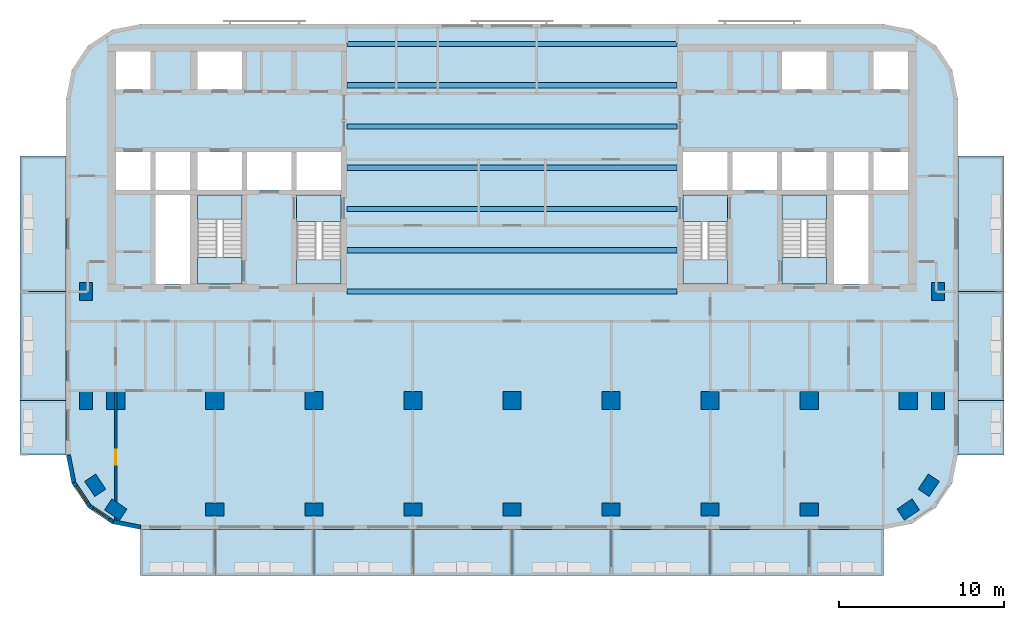
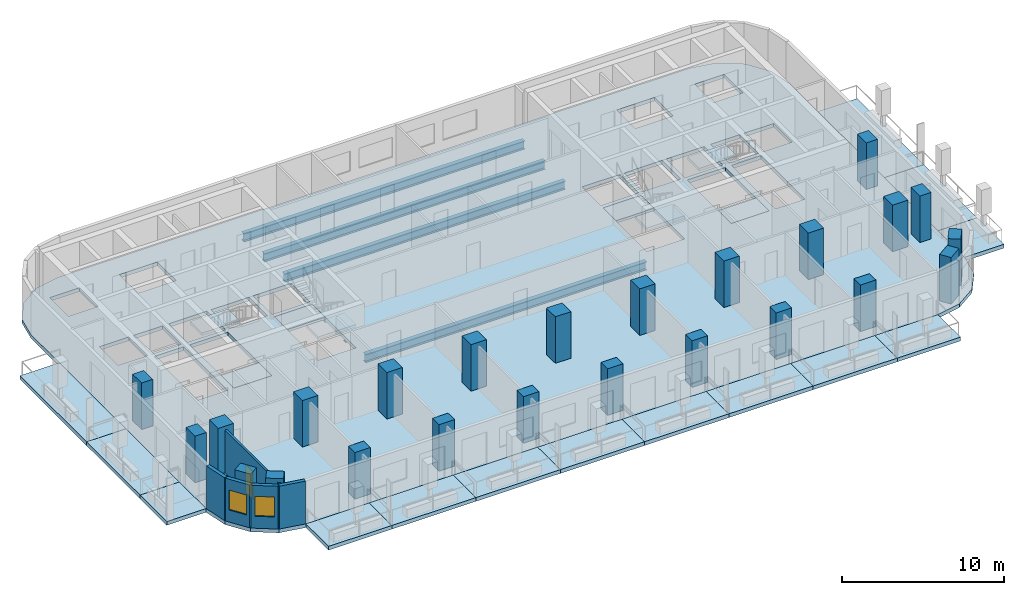
# One storey, part 1 of 11: 24 columns, 23 slabs, 7 beams, 5 walls, 2 windows, 1 door, 3 openings, 4 elements without a shape of their own.
"""IFC4 building model written with IfcOpenShell, lengths in metres."""

from ifc_helpers import new_model, si_unit, direction, frame, frame_2d, origin, origin_2d, place, context, subcontext, project, spatial, polyline, rectangle, i_section, outline, extrude, material, layer, layer_set, material_profile, profile_set, type_object, element, fill, aggregate, save


model = new_model("IFC4")

# Units and contexts
model_context = context("Model", 3, precision=1e-05, world=origin(), true_north=direction((0.0, 1.0)))
body_context = subcontext(model_context, "Body", "Model", "MODEL_VIEW")
ifc_project = project(units=[si_unit("LENGTHUNIT", "METRE"), si_unit("AREAUNIT", "SQUARE_METRE"), si_unit("VOLUMEUNIT", "CUBIC_METRE"), si_unit("PLANEANGLEUNIT", "RADIAN"), si_unit("MASSUNIT", "GRAM", prefix="KILO")], contexts=[model_context])

# Site, building, storey
site_placement = place(None, origin())
site = spatial("IfcSite", under=ifc_project, at=site_placement, CompositionType="ELEMENT")
building_placement = place(site_placement, origin())
building = spatial("IfcBuilding", under=site, at=building_placement, Name="Torana Hotel and Residences", CompositionType="ELEMENT")
storey_placement = place(building_placement, frame((0.0, 0.0, 222.10009765625)))
storey = spatial("IfcBuildingStorey", under=building, at=storey_placement, Name="L58", CompositionType="ELEMENT", Elevation=222.10009765625)

# Columns
ifc_material_1 = material(Name="Concrete C60/75", Category="concrete")
ifc_material_profile_1 = material_profile(ifc_material_1, rectangle(XDim=1.10009765625, YDim=1.10009765625, at=origin_2d()), Name="RC 1100x1100")
ifc_profile_set_1 = profile_set([ifc_material_profile_1], Name="Concrete C60/75")
column_type_1 = type_object("IfcColumnType", Name="COLUMN RC 1100x1100 C60/75", PredefinedType="COLUMN", material=ifc_profile_set_1)
for number, where, z_axis, x_axis, name in (
    (1, (-24.0, -21.60009765625, 0.0), (0.0, 0.0, 1.0), (1.0, 0.0, 0.0), "Column L58"),
    (2, (-18.0, -21.60009765625, 0.0), (0.0, 0.0, 1.0), (1.0, 0.0, 0.0), "Column L58"),
    (3, (-12.0, -21.60009765625, 0.0), (0.0, 0.0, 1.0), (1.0, 0.0, 0.0), "Column L58"),
    (4, (-6.0, -21.60009765625, 0.0), (0.0, 0.0, 1.0), (1.0, 0.0, 0.0), "Column L58"),
    (5, (0.0, -21.60009765625, 0.0), (0.0, 0.0, 1.0), (1.0, 0.0, 0.0), "Column L58"),
    (6, (6.0, -21.60009765625, 0.0), (0.0, 0.0, 1.0), (1.0, 0.0, 0.0), "Column L58"),
    (7, (12.0, -21.60009765625, 0.0), (0.0, 0.0, 1.0), (1.0, 0.0, 0.0), "Column L58"),
    (8, (18.0, -21.60009765625, 0.0), (0.0, 0.0, 1.0), (1.0, 0.0, 0.0), "Column L58"),
    (9, (24.0, -21.60009765625, 0.0), (0.0, 0.0, 1.0), (1.0, 0.0, 0.0), "Column L58"),
):
    element("IfcColumn", number, at=place(storey_placement, frame(where, z_axis=z_axis, x_axis=x_axis)), inside=storey, type_object=column_type_1, Name=name, PredefinedType="COLUMN", context=body_context, shape_type="SweptSolid", body=[
        extrude(rectangle(XDim=1.10009765625, YDim=1.10009765625, at=origin_2d()), origin(), (0.0, 0.0, 1.0), 3.5),
    ])
ifc_material_2 = material(Name="Concrete C60/75", Category="concrete")
ifc_material_profile_2 = material_profile(ifc_material_2, rectangle(XDim=1.10009765625, YDim=0.800048828125, at=origin_2d()), Name="RC 1100x800")
ifc_profile_set_2 = profile_set([ifc_material_profile_2], Name="Concrete C60/75")
column_type_2 = type_object("IfcColumnType", Name="COLUMN RC 1100x800 C60/75", PredefinedType="COLUMN", material=ifc_profile_set_2)
for number, where, z_axis, x_axis, name in (
    (10, (-25.800048828125, -21.60009765625, 0.0), (0.0, 0.0, 1.0), (0.0, 1.0, 0.0), "Column L58"),
    (11, (-25.800048828125, -15.0, 0.0), (0.0, 0.0, 1.0), (0.0, 1.0, 0.0), "Column L58"),
    (12, (-25.243896484375, -26.73291015625, 0.0), (0.0, 0.0, 1.0), (-0.555584744817, 0.831459915646, 0.0), "Column L58"),
    (13, (-24.0, -28.199951171875, 0.0), (0.0, 0.0, 1.0), (-0.831459915646, 0.555584744817, 0.0), "Column L58"),
    (14, (-18.0, -28.199951171875, 0.0), (0.0, 0.0, 1.0), (1.0, 0.0, 0.0), "Column L58"),
    (15, (-12.0, -28.199951171875, 0.0), (0.0, 0.0, 1.0), (1.0, 0.0, 0.0), "Column L58"),
    (16, (-6.0, -28.199951171875, 0.0), (0.0, 0.0, 1.0), (1.0, 0.0, 0.0), "Column L58"),
    (17, (0.0, -28.199951171875, 0.0), (0.0, 0.0, 1.0), (1.0, 0.0, 0.0), "Column L58"),
    (18, (6.0, -28.199951171875, 0.0), (0.0, 0.0, 1.0), (1.0, 0.0, 0.0), "Column L58"),
    (19, (12.0, -28.199951171875, 0.0), (0.0, 0.0, 1.0), (1.0, 0.0, 0.0), "Column L58"),
    (20, (18.0, -28.199951171875, 0.0), (0.0, 0.0, 1.0), (1.0, 0.0, 0.0), "Column L58"),
    (21, (24.0, -28.199951171875, 0.0), (0.0, 0.0, 1.0), (0.831459915646, 0.555584744817, 0.0), "Column L58"),
    (22, (25.243896484375, -26.73291015625, 0.0), (0.0, 0.0, 1.0), (0.555584744817, 0.831459915646, 0.0), "Column L58"),
    (23, (25.800048828125, -21.60009765625, 0.0), (0.0, 0.0, 1.0), (0.0, 1.0, 0.0), "Column L58"),
    (24, (25.800048828125, -15.0, 0.0), (0.0, 0.0, 1.0), (0.0, 1.0, 0.0), "Column L58"),
):
    element("IfcColumn", number, at=place(storey_placement, frame(where, z_axis=z_axis, x_axis=x_axis)), inside=storey, type_object=column_type_2, Name=name, PredefinedType="COLUMN", context=body_context, shape_type="SweptSolid", body=[
        extrude(rectangle(XDim=1.10009765625, YDim=0.800048828125, at=origin_2d()), origin(), (0.0, 0.0, 1.0), 3.5),
    ])

# Beams
ifc_material_3 = material(Name="Steel S355", Category="steel")
ifc_material_profile_3 = material_profile(ifc_material_3, i_section(OverallWidth=0.311279296875, OverallDepth=0.6357421875, WebThickness=0.018310546875, FlangeThickness=0.031494140625, FilletRadius=0.0166015625, at=origin_2d()), Name="610x305x238 UB")
ifc_profile_set_3 = profile_set([ifc_material_profile_3], Name="Steel S355")
beam_type = type_object("IfcBeamType", Name="STEEL GIRDER 610x305x238 UB", PredefinedType="BEAM", material=ifc_profile_set_3)
for number, where, z_axis, x_axis, name in (
    (25, (-10.0, -15.0, -0.597900390625), (1.0, 0.0, 0.0), (0.0, 1.0, 0.0), "Floor girder"),
    (26, (-10.0, -12.5, -0.597900390625), (1.0, 0.0, 0.0), (0.0, 1.0, 0.0), "Floor girder"),
    (27, (-10.0, -10.0, -0.597900390625), (1.0, 0.0, 0.0), (0.0, 1.0, 0.0), "Floor girder"),
    (28, (-10.0, -7.5, -0.597900390625), (1.0, 0.0, 0.0), (0.0, 1.0, 0.0), "Floor girder"),
    (29, (-10.0, -5.0, -0.597900390625), (1.0, 0.0, 0.0), (0.0, 1.0, 0.0), "Floor girder"),
    (30, (-10.0, -2.5, -0.597900390625), (1.0, 0.0, 0.0), (0.0, 1.0, 0.0), "Floor girder"),
    (31, (-10.0, 0.0, -0.597900390625), (1.0, 0.0, 0.0), (0.0, 1.0, 0.0), "Floor girder"),
):
    element("IfcBeam", number, at=place(storey_placement, frame(where, z_axis=z_axis, x_axis=x_axis)), inside=storey, type_object=beam_type, Name=name, PredefinedType="BEAM", context=body_context, shape_type="SweptSolid", body=[
        extrude(i_section(OverallWidth=0.311279296875, OverallDepth=0.6357421875, WebThickness=0.018310546875, FlangeThickness=0.031494140625, FilletRadius=0.0166015625, at=origin_2d()), origin(), (0.0, 0.0, 1.0), 20.0),
    ])

# Slabs
ifc_material_4 = material(Name="Concrete C40/50", Category="concrete")
ifc_layer_1 = layer(ifc_material_4, 0.280029296875)
ifc_layer_set_1 = layer_set([ifc_layer_1], Name="BAL1 BALCONY SLAB 280")
slab_type_1 = type_object("IfcSlabType", Name="BAL1 BALCONY SLAB 280", PredefinedType="USERDEFINED", material=ifc_layer_set_1)
slab_1_placement = place(storey_placement, frame((0.0, 0.0, -0.280029296875)))
element("IfcSlab", 32, at=slab_1_placement, inside=storey, type_object=slab_type_1, Name="Balcony 01", ObjectType="BALCONY", PredefinedType="USERDEFINED", context=body_context, shape_type="SweptSolid", body=[
    extrude(outline(polyline([(-22.5, -32.199951171875), (-18.0, -32.199951171875), (-18.0, -29.39990234375), (-22.5, -29.39990234375), (-22.5, -32.199951171875)])), origin(), (0.0, 0.0, 1.0), 0.280029296875),
])
slab_2_placement = place(storey_placement, frame((0.0, 0.0, -0.280029296875)))
element("IfcSlab", 33, at=slab_2_placement, inside=storey, type_object=slab_type_1, Name="Balcony 02", ObjectType="BALCONY", PredefinedType="USERDEFINED", context=body_context, shape_type="SweptSolid", body=[
    extrude(outline(polyline([(-18.0, -32.199951171875), (-12.0, -32.199951171875), (-12.0, -29.39990234375), (-18.0, -29.39990234375), (-18.0, -32.199951171875)])), origin(), (0.0, 0.0, 1.0), 0.280029296875),
])
slab_3_placement = place(storey_placement, frame((0.0, 0.0, -0.280029296875)))
element("IfcSlab", 34, at=slab_3_placement, inside=storey, type_object=slab_type_1, Name="Balcony 03", ObjectType="BALCONY", PredefinedType="USERDEFINED", context=body_context, shape_type="SweptSolid", body=[
    extrude(outline(polyline([(-12.0, -32.199951171875), (-6.0, -32.199951171875), (-6.0, -29.39990234375), (-12.0, -29.39990234375), (-12.0, -32.199951171875)])), origin(), (0.0, 0.0, 1.0), 0.280029296875),
])
slab_4_placement = place(storey_placement, frame((0.0, 0.0, -0.280029296875)))
element("IfcSlab", 35, at=slab_4_placement, inside=storey, type_object=slab_type_1, Name="Balcony 04", ObjectType="BALCONY", PredefinedType="USERDEFINED", context=body_context, shape_type="SweptSolid", body=[
    extrude(outline(polyline([(-6.0, -32.199951171875), (0.0, -32.199951171875), (0.0, -29.39990234375), (-6.0, -29.39990234375), (-6.0, -32.199951171875)])), origin(), (0.0, 0.0, 1.0), 0.280029296875),
])
slab_5_placement = place(storey_placement, frame((0.0, 0.0, -0.280029296875)))
element("IfcSlab", 36, at=slab_5_placement, inside=storey, type_object=slab_type_1, Name="Balcony 05", ObjectType="BALCONY", PredefinedType="USERDEFINED", context=body_context, shape_type="SweptSolid", body=[
    extrude(outline(polyline([(0.0, -32.199951171875), (6.0, -32.199951171875), (6.0, -29.39990234375), (0.0, -29.39990234375), (0.0, -32.199951171875)])), origin(), (0.0, 0.0, 1.0), 0.280029296875),
])
slab_6_placement = place(storey_placement, frame((0.0, 0.0, -0.280029296875)))
element("IfcSlab", 37, at=slab_6_placement, inside=storey, type_object=slab_type_1, Name="Balcony 06", ObjectType="BALCONY", PredefinedType="USERDEFINED", context=body_context, shape_type="SweptSolid", body=[
    extrude(outline(polyline([(6.0, -32.199951171875), (12.0, -32.199951171875), (12.0, -29.39990234375), (6.0, -29.39990234375), (6.0, -32.199951171875)])), origin(), (0.0, 0.0, 1.0), 0.280029296875),
])
slab_7_placement = place(storey_placement, frame((0.0, 0.0, -0.280029296875)))
element("IfcSlab", 38, at=slab_7_placement, inside=storey, type_object=slab_type_1, Name="Balcony 07", ObjectType="BALCONY", PredefinedType="USERDEFINED", context=body_context, shape_type="SweptSolid", body=[
    extrude(outline(polyline([(12.0, -32.199951171875), (18.0, -32.199951171875), (18.0, -29.39990234375), (12.0, -29.39990234375), (12.0, -32.199951171875)])), origin(), (0.0, 0.0, 1.0), 0.280029296875),
])
slab_8_placement = place(storey_placement, frame((0.0, 0.0, -0.280029296875)))
element("IfcSlab", 39, at=slab_8_placement, inside=storey, type_object=slab_type_1, Name="Balcony 08", ObjectType="BALCONY", PredefinedType="USERDEFINED", context=body_context, shape_type="SweptSolid", body=[
    extrude(outline(polyline([(18.0, -32.199951171875), (22.5, -32.199951171875), (22.5, -29.39990234375), (18.0, -29.39990234375), (18.0, -32.199951171875)])), origin(), (0.0, 0.0, 1.0), 0.280029296875),
])
slab_9_placement = place(storey_placement, frame((0.0, 0.0, -0.280029296875)))
element("IfcSlab", 40, at=slab_9_placement, inside=storey, type_object=slab_type_1, Name="Balcony 09", ObjectType="BALCONY", PredefinedType="USERDEFINED", context=body_context, shape_type="SweptSolid", body=[
    extrude(outline(polyline([(-29.800048828125, -24.89990234375), (-27.0, -24.89990234375), (-27.0, -21.60009765625), (-29.800048828125, -21.60009765625), (-29.800048828125, -24.89990234375)])), origin(), (0.0, 0.0, 1.0), 0.280029296875),
])
slab_10_placement = place(storey_placement, frame((0.0, 0.0, -0.280029296875)))
element("IfcSlab", 41, at=slab_10_placement, inside=storey, type_object=slab_type_1, Name="Balcony 10", ObjectType="BALCONY", PredefinedType="USERDEFINED", context=body_context, shape_type="SweptSolid", body=[
    extrude(outline(polyline([(-29.800048828125, -21.60009765625), (-27.0, -21.60009765625), (-27.0, -15.0), (-29.800048828125, -15.0), (-29.800048828125, -21.60009765625)])), origin(), (0.0, 0.0, 1.0), 0.280029296875),
])
slab_11_placement = place(storey_placement, frame((0.0, 0.0, -0.280029296875)))
element("IfcSlab", 42, at=slab_11_placement, inside=storey, type_object=slab_type_1, Name="Balcony 11", ObjectType="BALCONY", PredefinedType="USERDEFINED", context=body_context, shape_type="SweptSolid", body=[
    extrude(outline(polyline([(-29.800048828125, -15.0), (-27.0, -15.0), (-27.0, -6.800048828125), (-29.800048828125, -6.800048828125), (-29.800048828125, -15.0)])), origin(), (0.0, 0.0, 1.0), 0.280029296875),
])
slab_12_placement = place(storey_placement, frame((0.0, 0.0, -0.280029296875)))
element("IfcSlab", 43, at=slab_12_placement, inside=storey, type_object=slab_type_1, Name="Balcony 12", ObjectType="BALCONY", PredefinedType="USERDEFINED", context=body_context, shape_type="SweptSolid", body=[
    extrude(outline(polyline([(27.0, -24.89990234375), (29.800048828125, -24.89990234375), (29.800048828125, -21.60009765625), (27.0, -21.60009765625), (27.0, -24.89990234375)])), origin(), (0.0, 0.0, 1.0), 0.280029296875),
])
slab_13_placement = place(storey_placement, frame((0.0, 0.0, -0.280029296875)))
element("IfcSlab", 44, at=slab_13_placement, inside=storey, type_object=slab_type_1, Name="Balcony 13", ObjectType="BALCONY", PredefinedType="USERDEFINED", context=body_context, shape_type="SweptSolid", body=[
    extrude(outline(polyline([(27.0, -21.60009765625), (29.800048828125, -21.60009765625), (29.800048828125, -15.0), (27.0, -15.0), (27.0, -21.60009765625)])), origin(), (0.0, 0.0, 1.0), 0.280029296875),
])
slab_14_placement = place(storey_placement, frame((0.0, 0.0, -0.280029296875)))
element("IfcSlab", 45, at=slab_14_placement, inside=storey, type_object=slab_type_1, Name="Balcony 14", ObjectType="BALCONY", PredefinedType="USERDEFINED", context=body_context, shape_type="SweptSolid", body=[
    extrude(outline(polyline([(27.0, -15.0), (29.800048828125, -15.0), (29.800048828125, -6.800048828125), (27.0, -6.800048828125), (27.0, -15.0)])), origin(), (0.0, 0.0, 1.0), 0.280029296875),
])
ifc_material_5 = material(Name="Concrete C40/50", Category="concrete")
ifc_layer_2 = layer(ifc_material_5, 0.280029296875)
ifc_layer_set_2 = layer_set([ifc_layer_2], Name="FLOOR SLAB PT 280")
slab_type_2 = type_object("IfcSlabType", Name="FLOOR SLAB PT 280", PredefinedType="FLOOR", material=ifc_layer_set_2)
slab_15_placement = place(storey_placement, frame((0.0, 0.0, -0.280029296875)))
element("IfcSlab", 46, at=slab_15_placement, inside=storey, type_object=slab_type_2, Name="Floor slab", PredefinedType="FLOOR", context=body_context, shape_type="SweptSolid", body=[
    extrude(outline(polyline([(27.0, -3.300048828125), (26.657470703125, -1.577880859375), (25.681884765625, -0.117919921875), (24.22216796875, 0.857421875), (22.5, 1.199951171875), (-22.5, 1.199951171875), (-24.22216796875, 0.857421875), (-25.681884765625, -0.117919921875), (-26.657470703125, -1.577880859375), (-27.0, -3.300048828125), (-27.0, -24.89990234375), (-26.657470703125, -26.6220703125), (-25.681884765625, -28.08203125), (-24.22216796875, -29.0576171875), (-22.5, -29.39990234375), (22.5, -29.39990234375), (24.22216796875, -29.0576171875), (25.681884765625, -28.08203125), (26.657470703125, -26.6220703125), (27.0, -24.89990234375), (27.0, -3.300048828125)]), holes=[polyline([(-13.050048828125, -14.550048828125), (-10.35009765625, -14.550048828125), (-10.35009765625, -9.14990234375), (-13.050048828125, -9.14990234375), (-13.050048828125, -14.550048828125)]), polyline([(-19.050048828125, -14.550048828125), (-16.35009765625, -14.550048828125), (-16.35009765625, -9.14990234375), (-19.050048828125, -9.14990234375), (-19.050048828125, -14.550048828125)]), polyline([(-19.050048828125, -2.75), (-16.35009765625, -2.75), (-16.35009765625, -0.449951171875), (-19.050048828125, -0.449951171875), (-19.050048828125, -2.75)]), polyline([(-21.60009765625, -8.85009765625), (-19.5, -8.85009765625), (-19.5, -6.550048828125), (-21.60009765625, -6.550048828125), (-21.60009765625, -8.85009765625)]), polyline([(-24.0, -2.75), (-21.89990234375, -2.75), (-21.89990234375, -0.449951171875), (-24.0, -0.449951171875), (-24.0, -2.75)]), polyline([(-24.0, -8.85009765625), (-21.89990234375, -8.85009765625), (-21.89990234375, -6.550048828125), (-24.0, -6.550048828125), (-24.0, -8.85009765625)]), polyline([(-13.050048828125, -8.85009765625), (-10.35009765625, -8.85009765625), (-10.35009765625, -6.550048828125), (-13.050048828125, -6.550048828125), (-13.050048828125, -8.85009765625)]), polyline([(-16.050048828125, -8.85009765625), (-13.35009765625, -8.85009765625), (-13.35009765625, -6.550048828125), (-16.050048828125, -6.550048828125), (-16.050048828125, -8.85009765625)]), polyline([(-19.050048828125, -8.85009765625), (-16.35009765625, -8.85009765625), (-16.35009765625, -6.550048828125), (-19.050048828125, -6.550048828125), (-19.050048828125, -8.85009765625)]), polyline([(-21.60009765625, -14.550048828125), (-19.5, -14.550048828125), (-19.5, -9.14990234375), (-21.60009765625, -9.14990234375), (-21.60009765625, -14.550048828125)]), polyline([(10.35009765625, -14.550048828125), (13.050048828125, -14.550048828125), (13.050048828125, -9.14990234375), (10.35009765625, -9.14990234375), (10.35009765625, -14.550048828125)]), polyline([(16.35009765625, -14.550048828125), (19.050048828125, -14.550048828125), (19.050048828125, -9.14990234375), (16.35009765625, -9.14990234375), (16.35009765625, -14.550048828125)]), polyline([(16.35009765625, -2.75), (19.050048828125, -2.75), (19.050048828125, -0.449951171875), (16.35009765625, -0.449951171875), (16.35009765625, -2.75)]), polyline([(19.5, -8.85009765625), (21.60009765625, -8.85009765625), (21.60009765625, -6.550048828125), (19.5, -6.550048828125), (19.5, -8.85009765625)]), polyline([(21.89990234375, -2.75), (24.0, -2.75), (24.0, -0.449951171875), (21.89990234375, -0.449951171875), (21.89990234375, -2.75)]), polyline([(21.89990234375, -8.85009765625), (24.0, -8.85009765625), (24.0, -6.550048828125), (21.89990234375, -6.550048828125), (21.89990234375, -8.85009765625)]), polyline([(10.35009765625, -8.85009765625), (13.050048828125, -8.85009765625), (13.050048828125, -6.550048828125), (10.35009765625, -6.550048828125), (10.35009765625, -8.85009765625)]), polyline([(13.35009765625, -8.85009765625), (16.050048828125, -8.85009765625), (16.050048828125, -6.550048828125), (13.35009765625, -6.550048828125), (13.35009765625, -8.85009765625)]), polyline([(16.35009765625, -8.85009765625), (19.050048828125, -8.85009765625), (19.050048828125, -6.550048828125), (16.35009765625, -6.550048828125), (16.35009765625, -8.85009765625)]), polyline([(19.5, -14.550048828125), (21.60009765625, -14.550048828125), (21.60009765625, -9.14990234375), (19.5, -9.14990234375), (19.5, -14.550048828125)])]), origin(), (0.0, 0.0, 1.0), 0.280029296875),
])

# Stair, slabs
ifc_material_6 = material(Name="Concrete C40/50 precast", Category="concrete")
stair_type_1 = type_object("IfcStairType", Name="STAIR ST1 HALF TURN 1200", PredefinedType="HALF_TURN_STAIR", material=ifc_material_6)
stair_1_placement = place(storey_placement, origin())
stair_1 = element("IfcStair", 47, at=stair_1_placement, inside=storey, type_object=stair_type_1, Name="Stair ST1 L58", PredefinedType="HALF_TURN_STAIR")
ifc_material_7 = material(Name="Concrete C40/50 precast", Category="concrete")
ifc_layer_3 = layer(ifc_material_7, 0.199951171875)
ifc_layer_set_3 = layer_set([ifc_layer_3], Name="STAIR LANDING 200")
slab_type_3 = type_object("IfcSlabType", Name="STAIR LANDING 200", PredefinedType="LANDING", material=ifc_layer_set_3)
slab_16_placement = place(storey_placement, frame((0.0, 0.0, 1.5498046875)))
slab_16 = element("IfcSlab", 48, at=slab_16_placement, type_object=slab_type_3, Name="ST1 landing 1", PredefinedType="LANDING", context=body_context, shape_type="SweptSolid", body=[
    extrude(outline(polyline([(-13.050048828125, -14.550048828125), (-10.35009765625, -14.550048828125), (-10.35009765625, -13.090087890625), (-13.050048828125, -13.090087890625), (-13.050048828125, -14.550048828125)])), origin(), (0.0, 0.0, 1.0), 0.2001953125),
])
slab_17_placement = place(storey_placement, frame((0.0, 0.0, -0.2001953125)))
slab_17 = element("IfcSlab", 49, at=slab_17_placement, type_object=slab_type_3, Name="ST1 landing 2", PredefinedType="LANDING", context=body_context, shape_type="SweptSolid", body=[
    extrude(outline(polyline([(-13.050048828125, -10.75), (-10.35009765625, -10.75), (-10.35009765625, -9.14990234375), (-13.050048828125, -9.14990234375), (-13.050048828125, -10.75)])), origin(), (0.0, 0.0, 1.0), 0.2001953125),
])
aggregate(stair_1, [slab_16, slab_17])

ifc_material_8 = material(Name="Concrete C40/50 precast", Category="concrete")
stair_type_2 = type_object("IfcStairType", Name="STAIR ST2 HALF TURN 1200", PredefinedType="HALF_TURN_STAIR", material=ifc_material_8)
stair_2_placement = place(storey_placement, origin())
stair_2 = element("IfcStair", 50, at=stair_2_placement, inside=storey, type_object=stair_type_2, Name="Stair ST2 L58", PredefinedType="HALF_TURN_STAIR")
slab_18_placement = place(storey_placement, frame((0.0, 0.0, 1.5498046875)))
slab_18 = element("IfcSlab", 51, at=slab_18_placement, type_object=slab_type_3, Name="ST2 landing 1", PredefinedType="LANDING", context=body_context, shape_type="SweptSolid", body=[
    extrude(outline(polyline([(-19.050048828125, -10.610107421875), (-16.35009765625, -10.610107421875), (-16.35009765625, -9.14990234375), (-19.050048828125, -9.14990234375), (-19.050048828125, -10.610107421875)])), origin(), (0.0, 0.0, 1.0), 0.2001953125),
])
slab_19_placement = place(storey_placement, frame((0.0, 0.0, -0.2001953125)))
slab_19 = element("IfcSlab", 52, at=slab_19_placement, type_object=slab_type_3, Name="ST2 landing 2", PredefinedType="LANDING", context=body_context, shape_type="SweptSolid", body=[
    extrude(outline(polyline([(-19.050048828125, -14.550048828125), (-16.35009765625, -14.550048828125), (-16.35009765625, -12.949951171875), (-19.050048828125, -12.949951171875), (-19.050048828125, -14.550048828125)])), origin(), (0.0, 0.0, 1.0), 0.2001953125),
])
aggregate(stair_2, [slab_18, slab_19])

ifc_material_9 = material(Name="Concrete C40/50 precast", Category="concrete")
stair_type_3 = type_object("IfcStairType", Name="STAIR ST3 HALF TURN 1200", PredefinedType="HALF_TURN_STAIR", material=ifc_material_9)
stair_3_placement = place(storey_placement, origin())
stair_3 = element("IfcStair", 53, at=stair_3_placement, inside=storey, type_object=stair_type_3, Name="Stair ST3 L58", PredefinedType="HALF_TURN_STAIR")
slab_20_placement = place(storey_placement, frame((0.0, 0.0, 1.5498046875)))
slab_20 = element("IfcSlab", 54, at=slab_20_placement, type_object=slab_type_3, Name="ST3 landing 1", PredefinedType="LANDING", context=body_context, shape_type="SweptSolid", body=[
    extrude(outline(polyline([(10.35009765625, -14.550048828125), (13.050048828125, -14.550048828125), (13.050048828125, -13.090087890625), (10.35009765625, -13.090087890625), (10.35009765625, -14.550048828125)])), origin(), (0.0, 0.0, 1.0), 0.2001953125),
])
slab_21_placement = place(storey_placement, frame((0.0, 0.0, -0.2001953125)))
slab_21 = element("IfcSlab", 55, at=slab_21_placement, type_object=slab_type_3, Name="ST3 landing 2", PredefinedType="LANDING", context=body_context, shape_type="SweptSolid", body=[
    extrude(outline(polyline([(10.35009765625, -10.75), (13.050048828125, -10.75), (13.050048828125, -9.14990234375), (10.35009765625, -9.14990234375), (10.35009765625, -10.75)])), origin(), (0.0, 0.0, 1.0), 0.2001953125),
])
aggregate(stair_3, [slab_20, slab_21])

ifc_material_10 = material(Name="Concrete C40/50 precast", Category="concrete")
stair_type_4 = type_object("IfcStairType", Name="STAIR ST4 HALF TURN 1200", PredefinedType="HALF_TURN_STAIR", material=ifc_material_10)
stair_4_placement = place(storey_placement, origin())
stair_4 = element("IfcStair", 56, at=stair_4_placement, inside=storey, type_object=stair_type_4, Name="Stair ST4 L58", PredefinedType="HALF_TURN_STAIR")
slab_22_placement = place(storey_placement, frame((0.0, 0.0, 1.5498046875)))
slab_22 = element("IfcSlab", 57, at=slab_22_placement, type_object=slab_type_3, Name="ST4 landing 1", PredefinedType="LANDING", context=body_context, shape_type="SweptSolid", body=[
    extrude(outline(polyline([(16.35009765625, -10.610107421875), (19.050048828125, -10.610107421875), (19.050048828125, -9.14990234375), (16.35009765625, -9.14990234375), (16.35009765625, -10.610107421875)])), origin(), (0.0, 0.0, 1.0), 0.2001953125),
])
slab_23_placement = place(storey_placement, frame((0.0, 0.0, -0.2001953125)))
slab_23 = element("IfcSlab", 58, at=slab_23_placement, type_object=slab_type_3, Name="ST4 landing 2", PredefinedType="LANDING", context=body_context, shape_type="SweptSolid", body=[
    extrude(outline(polyline([(16.35009765625, -14.550048828125), (19.050048828125, -14.550048828125), (19.050048828125, -12.949951171875), (16.35009765625, -12.949951171875), (16.35009765625, -14.550048828125)])), origin(), (0.0, 0.0, 1.0), 0.2001953125),
])
aggregate(stair_4, [slab_22, slab_23])

# Wall
ifc_material_11 = material(Name="Black aluminium composite panel", Category="aluminium")
ifc_layer_4 = layer(ifc_material_11, 0.00390625, Name="Cladding", Category="cladding")
ifc_material_12 = material(Name="Ventilated air cavity")
ifc_layer_5 = layer(ifc_material_12, 0.0400390625, Name="Ventilated cavity", Category="cavity")
ifc_material_13 = material(Name="Mineral wool insulation")
ifc_layer_6 = layer(ifc_material_13, 0.090087890625, Name="Insulation", Category="insulation")
ifc_material_14 = material(Name="Steel S280GD", Category="steel")
ifc_layer_7 = layer(ifc_material_14, 0.092041015625, Name="Steel stud frame", Category="structure")
ifc_material_15 = material(Name="Fire rated plasterboard")
ifc_layer_8 = layer(ifc_material_15, 0.011962890625, Name="Inner board", Category="finish")
ifc_layer_9 = layer(ifc_material_15, 0.011962890625, Name="Second board", Category="finish")
ifc_layer_set_4 = layer_set([ifc_layer_4, ifc_layer_5, ifc_layer_6, ifc_layer_7, ifc_layer_8, ifc_layer_9], Name="EW1 EXTERNAL WALL BLACK METAL CLAD 250")
wall_type_1 = type_object("IfcWallType", Name="EW1 EXTERNAL WALL BLACK METAL CLAD 250", PredefinedType="SOLIDWALL", material=ifc_layer_set_4)
wall_1_placement = place(storey_placement, frame((-26.87255859375, -24.89990234375, 0.0), z_axis=(0.0, 0.0, 1.0), x_axis=(0.195026884138, -0.980797896849, 0.0)))
element("IfcWall", 59, at=wall_1_placement, inside=storey, type_object=wall_type_1, Name="External wall L58 e0.10", PredefinedType="SOLIDWALL", context=body_context, shape_type="SweptSolid", body=[
    extrude(rectangle(XDim=1.68115234375, YDim=0.25, at=frame_2d((0.840576171875, 0.0))), origin(), (0.0, 0.0, 1.0), 3.219970703125),
])

# Wall, opening, window
wall_2_placement = place(storey_placement, frame((-26.52587890625, -26.593994140625, 0.0), z_axis=(0.0, 0.0, 1.0), x_axis=(0.55555029066, -0.831482937015, 0.0)))
wall_2 = element("IfcWall", 60, at=wall_2_placement, inside=storey, type_object=wall_type_1, Name="External wall L58 e0.11", PredefinedType="SOLIDWALL", context=body_context, shape_type="SweptSolid", body=[
    extrude(rectangle(XDim=1.65625, YDim=0.25, at=frame_2d((0.828125, 0.0))), origin(), (0.0, 0.0, 1.0), 3.219970703125),
])
opening_1_placement = place(wall_2_placement, frame((0.228271484375, 0.0, 0.89990234375)))
opening_1 = element("IfcOpeningElement", 61, at=opening_1_placement, cuts=wall_2, Name="Opening W5", PredefinedType="OPENING", context=body_context, shape_type="SweptSolid", body=[
    extrude(rectangle(XDim=1.199951171875, YDim=1.5, at=frame_2d((0.60009765625, 0.75))), frame((0.0, 0.135009765625, 0.0), z_axis=(0.0, -1.0, 0.0), x_axis=(1.0, 0.0, 0.0)), (0.0, 0.0, 1.0), 0.27001953125),
])
ifc_material_16 = material(Name="Dark glass in black aluminium frame", Category="aluminium")
window_type = type_object("IfcWindowType", Name="W5 CORNER FACET WINDOW 1200x1500", PartitioningType="SINGLE_PANEL", PredefinedType="WINDOW", material=ifc_material_16)
window_1_placement = place(opening_1_placement, origin())
window_1 = element("IfcWindow", 62, at=window_1_placement, inside=storey, type_object=window_type, Name="Window L58 e0.11", OverallHeight=1.5, OverallWidth=1.199951171875, PartitioningType="SINGLE_PANEL", PredefinedType="WINDOW", context=body_context, shape_type="SweptSolid", body=[
    extrude(rectangle(XDim=1.199951171875, YDim=1.5, at=frame_2d((0.60009765625, 0.75))), frame((0.0, 0.030029296875, 0.0), z_axis=(0.0, -1.0, 0.0), x_axis=(1.0, 0.0, 0.0)), (0.0, 0.0, 1.0), 0.06005859375),
])
fill(opening_1, window_1)

wall_3_placement = place(storey_placement, frame((-25.5712890625, -28.005615234375, 0.0), z_axis=(0.0, 0.0, 1.0), x_axis=(0.831482937015, -0.55555029066, 0.0)))
wall_3 = element("IfcWall", 63, at=wall_3_placement, inside=storey, type_object=wall_type_1, Name="External wall L58 e0.12", PredefinedType="SOLIDWALL", context=body_context, shape_type="SweptSolid", body=[
    extrude(rectangle(XDim=1.65625, YDim=0.25, at=frame_2d((0.828125, 0.0))), origin(), (0.0, 0.0, 1.0), 3.219970703125),
])
opening_2_placement = place(wall_3_placement, frame((0.228271484375, 0.0, 0.89990234375)))
opening_2 = element("IfcOpeningElement", 64, at=opening_2_placement, cuts=wall_3, Name="Opening W5", PredefinedType="OPENING", context=body_context, shape_type="SweptSolid", body=[
    extrude(rectangle(XDim=1.199951171875, YDim=1.5, at=frame_2d((0.60009765625, 0.75))), frame((0.0, 0.135009765625, 0.0), z_axis=(0.0, -1.0, 0.0), x_axis=(1.0, 0.0, 0.0)), (0.0, 0.0, 1.0), 0.27001953125),
])
window_2_placement = place(opening_2_placement, origin())
window_2 = element("IfcWindow", 65, at=window_2_placement, inside=storey, type_object=window_type, Name="Window L58 e0.12", OverallHeight=1.5, OverallWidth=1.199951171875, PartitioningType="SINGLE_PANEL", PredefinedType="WINDOW", context=body_context, shape_type="SweptSolid", body=[
    extrude(rectangle(XDim=1.199951171875, YDim=1.5, at=frame_2d((0.60009765625, 0.75))), frame((0.0, 0.030029296875, 0.0), z_axis=(0.0, -1.0, 0.0), x_axis=(1.0, 0.0, 0.0)), (0.0, 0.0, 1.0), 0.06005859375),
])
fill(opening_2, window_2)

# Wall
wall_4_placement = place(storey_placement, frame((-24.14892578125, -28.944580078125, 0.0), z_axis=(0.0, 0.0, 1.0), x_axis=(0.980775640221, -0.19513878023, 0.0)))
element("IfcWall", 66, at=wall_4_placement, inside=storey, type_object=wall_type_1, Name="External wall L58 e0.13", PredefinedType="SOLIDWALL", context=body_context, shape_type="SweptSolid", body=[
    extrude(rectangle(XDim=1.681396484375, YDim=0.25, at=frame_2d((0.8408203125, 0.0))), origin(), (0.0, 0.0, 1.0), 3.219970703125),
])

# Wall, opening, door
ifc_material_17 = material(Name="Gypsum plasterboard")
ifc_layer_10 = layer(ifc_material_17, 0.012451171875, Name="Plasterboard", Category="finish")
ifc_layer_11 = layer(ifc_material_17, 0.012451171875, Name="Plasterboard", Category="finish")
ifc_layer_12 = layer(ifc_material_14, 0.10009765625, Name="Steel studs with mineral wool", Category="insulation")
ifc_layer_13 = layer(ifc_material_17, 0.012451171875, Name="Plasterboard", Category="finish")
ifc_layer_14 = layer(ifc_material_17, 0.012451171875, Name="Plasterboard", Category="finish")
ifc_layer_set_5 = layer_set([ifc_layer_10, ifc_layer_11, ifc_layer_12, ifc_layer_13, ifc_layer_14], Name="PARTITION 150 PLASTERBOARD")
wall_type_2 = type_object("IfcWallType", Name="PARTITION 150 PLASTERBOARD", PredefinedType="PARTITIONING", material=ifc_layer_set_5)
wall_5_placement = place(storey_placement, frame((-24.0, -28.918212890625, 0.0), z_axis=(0.0, 0.0, 1.0), x_axis=(0.0, 1.0, 0.0)))
wall_5 = element("IfcWall", 67, at=wall_5_placement, inside=storey, type_object=wall_type_2, Name="Partition L58", PredefinedType="PARTITIONING", context=body_context, shape_type="SweptSolid", body=[
    extrude(rectangle(XDim=7.918212890625, YDim=0.14990234375, at=frame_2d((3.958984375, 0.0))), origin(), (0.0, 0.0, 1.0), 3.219970703125),
])
opening_3_placement = place(wall_5_placement, frame((3.43603515625, 0.0, 0.0)))
opening_3 = element("IfcOpeningElement", 68, at=opening_3_placement, cuts=wall_5, Name="Opening L58-57", PredefinedType="OPENING", context=body_context, shape_type="SweptSolid", body=[
    extrude(rectangle(XDim=0.89990234375, YDim=2.10009765625, at=frame_2d((0.449951171875, 1.050048828125))), frame((0.0, 0.0849609375, 0.0), z_axis=(0.0, -1.0, 0.0), x_axis=(1.0, 0.0, 0.0)), (0.0, 0.0, 1.0), 0.169921875),
])
ifc_material_18 = material(Name="Timber door, oiled ash", Category="wood")
door_type = type_object("IfcDoorType", Name="ROOM DOOR D7 900x2100", OperationType="SINGLE_SWING_LEFT", PredefinedType="DOOR", material=ifc_material_18)
door_placement = place(opening_3_placement, origin())
door = element("IfcDoor", 69, at=door_placement, inside=storey, type_object=door_type, Name="Door L58", OperationType="SINGLE_SWING_RIGHT", OverallHeight=2.10009765625, OverallWidth=0.89990234375, PredefinedType="DOOR", context=body_context, shape_type="SweptSolid", body=[
    extrude(rectangle(XDim=0.89990234375, YDim=2.10009765625, at=frame_2d((0.449951171875, 1.050048828125))), frame((0.0, 0.02490234375, 0.0), z_axis=(0.0, -1.0, 0.0), x_axis=(1.0, 0.0, 0.0)), (0.0, 0.0, 1.0), 0.050048828125),
])
fill(opening_3, door)

save(model, "model.ifc")
